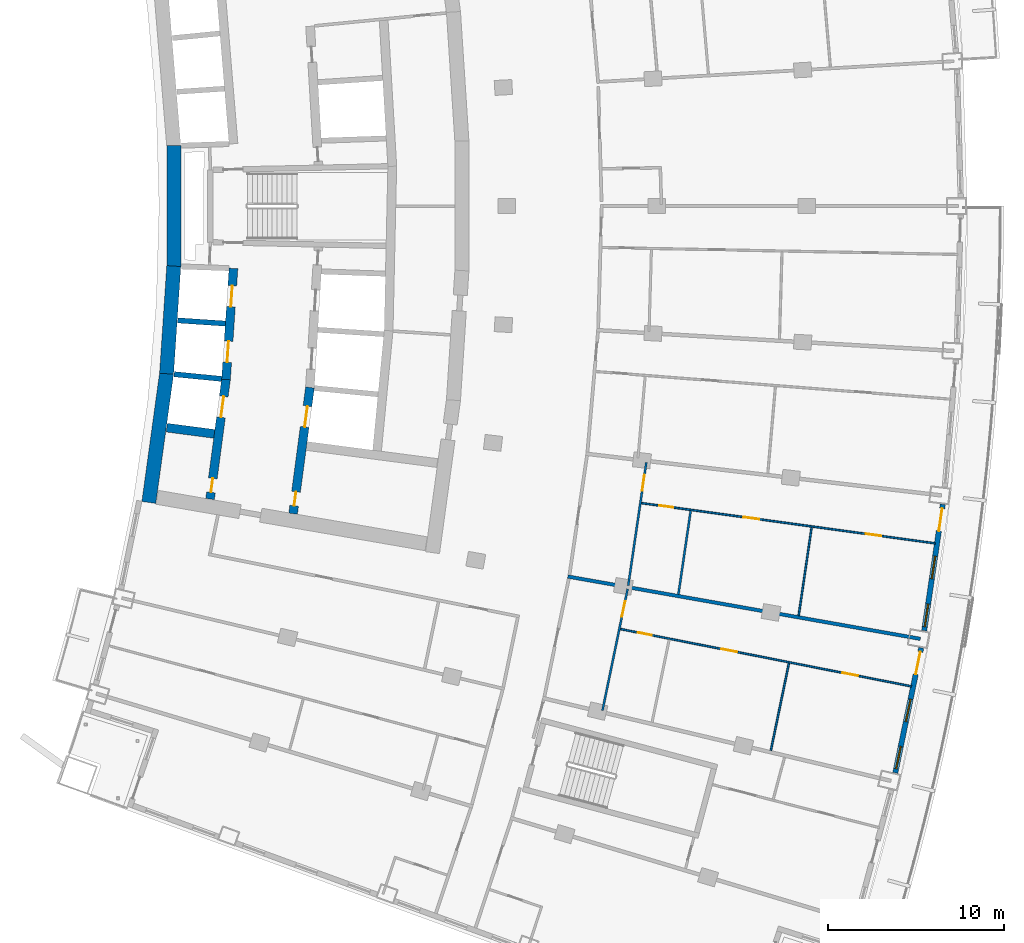
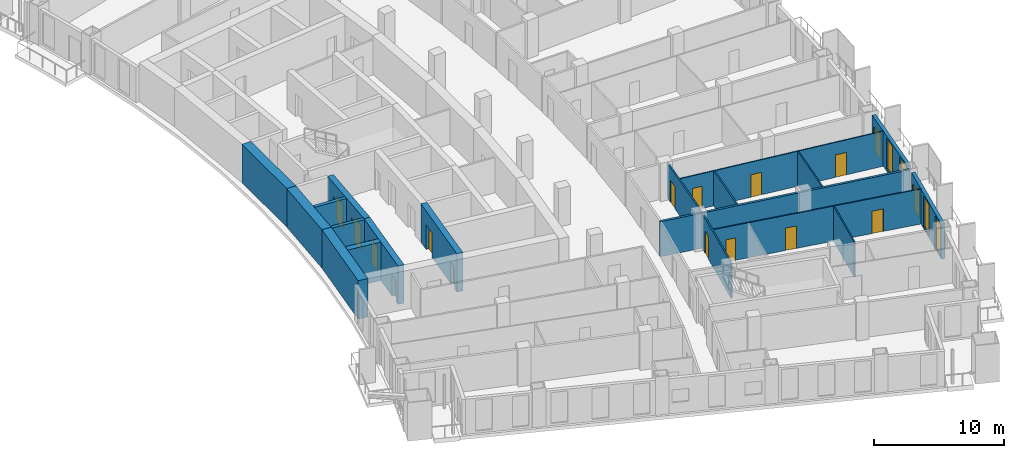
# One storey, part 15 of 24: 19 walls, 16 doors, 4 windows, 20 openings.
"""IFC4 building model written with IfcOpenShell, lengths in metres."""

from ifc_helpers import new_model, si_unit, direction, frame, frame_2d, origin, place, context, subcontext, project, spatial, rectangle, extrude, material, layer, layer_set, type_object, element, fill, save


model = new_model("IFC4")

# Units and contexts
model_context = context("Model", 3, precision=1e-05, world=origin(), true_north=direction((0.0, 1.0)))
body_context = subcontext(model_context, "Body", "Model", "MODEL_VIEW")
ifc_project = project(units=[si_unit("LENGTHUNIT", "METRE"), si_unit("AREAUNIT", "SQUARE_METRE"), si_unit("VOLUMEUNIT", "CUBIC_METRE"), si_unit("PLANEANGLEUNIT", "RADIAN"), si_unit("MASSUNIT", "GRAM", prefix="KILO")], contexts=[model_context])

# Site, building, storey
site_placement = place(None, origin())
site = spatial("IfcSite", under=ifc_project, at=site_placement, CompositionType="ELEMENT")
building_placement = place(site_placement, origin())
building = spatial("IfcBuilding", under=site, at=building_placement, Name="Alderwake Tower", CompositionType="ELEMENT")
storey_placement = place(building_placement, frame((0.0, 0.0, 96.800048828125)))
storey = spatial("IfcBuildingStorey", under=building, at=storey_placement, Name="L23", CompositionType="ELEMENT", Elevation=96.800048828125)

# Walls
ifc_material_1 = material(Name="Concrete C70/85", Category="concrete")
ifc_layer_1 = layer(ifc_material_1, 0.800048828125)
ifc_layer_set_1 = layer_set([ifc_layer_1], Name="Core wall outer 800 C70-85")
wall_type_1 = type_object("IfcWallType", Name="Core wall outer 800 C70-85", PredefinedType="SHEAR", material=ifc_layer_set_1)
wall_1_placement = place(storey_placement, frame((15.419921875, 44.12890625, 0.0), z_axis=(0.0, 0.0, 1.0), x_axis=(0.13634256868, 0.990661750531, 0.0)))
element("IfcWall", 1, at=wall_1_placement, inside=storey, type_object=wall_type_1, Name="Core wall CW.042", PredefinedType="SHEAR", context=body_context, shape_type="SweptSolid", body=[
    extrude(rectangle(XDim=7.42578125, YDim=0.800048828125, at=frame_2d((3.712890625, 0.0))), origin(), (0.0, 0.0, 1.0), 3.599853515625),
])
wall_2_placement = place(storey_placement, frame((16.429443359375, 51.45654296875, 0.0), z_axis=(0.0, 0.0, 1.0), x_axis=(0.066885651624, 0.997760647454, 0.0)))
element("IfcWall", 2, at=wall_2_placement, inside=storey, type_object=wall_type_1, Name="Core wall CW.041", PredefinedType="SHEAR", context=body_context, shape_type="SweptSolid", body=[
    extrude(rectangle(XDim=6.14306640625, YDim=0.800048828125, at=frame_2d((3.071533203125, 0.0))), origin(), (0.0, 0.0, 1.0), 3.599853515625),
])
wall_3_placement = place(storey_placement, frame((16.83935546875, 57.558349609375, 0.0), z_axis=(0.0, 0.0, 1.0), x_axis=(0.0, 1.0, 0.0)))
element("IfcWall", 3, at=wall_3_placement, inside=storey, type_object=wall_type_1, Name="Core wall CW.043", PredefinedType="SHEAR", context=body_context, shape_type="SweptSolid", body=[
    extrude(rectangle(XDim=6.886474609375, YDim=0.800048828125, at=frame_2d((3.443359375, 0.0))), origin(), (0.0, 0.0, 1.0), 3.599853515625),
])
ifc_material_2 = material(Name="Concrete C70/85", Category="concrete")
ifc_layer_2 = layer(ifc_material_2, 0.300048828125)
ifc_layer_set_2 = layer_set([ifc_layer_2], Name="Core wall shaft 300 C70-85")
wall_type_2 = type_object("IfcWallType", Name="Core wall shaft 300 C70-85", PredefinedType="SHEAR", material=ifc_layer_set_2)
wall_4_placement = place(storey_placement, frame((16.8583984375, 51.4287109375, 0.0), z_axis=(0.0, 0.0, 1.0), x_axis=(0.995157330456, -0.098294901394, 0.0)))
element("IfcWall", 4, at=wall_4_placement, inside=storey, type_object=wall_type_2, Name="Core wall CW.065", PredefinedType="SHEAR", context=body_context, shape_type="SweptSolid", body=[
    extrude(rectangle(XDim=2.7197265625, YDim=0.300048828125, at=frame_2d((1.35986328125, 0.0))), origin(), (0.0, 0.0, 1.0), 3.599853515625),
])
wall_5_placement = place(storey_placement, frame((17.06396484375, 54.492919921875, 0.0), z_axis=(0.0, 0.0, 1.0), x_axis=(0.997758851023, -0.066912444326, 0.0)))
element("IfcWall", 5, at=wall_5_placement, inside=storey, type_object=wall_type_2, Name="Core wall CW.079", PredefinedType="SHEAR", context=body_context, shape_type="SweptSolid", body=[
    extrude(rectangle(XDim=2.71826171875, YDim=0.300048828125, at=frame_2d((1.359130859375, 0.0))), origin(), (0.0, 0.0, 1.0), 3.599853515625),
])

# Wall, openings, doors
ifc_material_3 = material(Name="Concrete C70/85", Category="concrete")
ifc_layer_3 = layer(ifc_material_3, 0.5)
ifc_layer_set_3 = layer_set([ifc_layer_3], Name="Core wall spine 500 C70-85")
wall_type_3 = type_object("IfcWallType", Name="Core wall spine 500 C70-85", PredefinedType="SHEAR", material=ifc_layer_set_3)
wall_6_placement = place(storey_placement, frame((19.81494140625, 51.145263671875, 0.0), z_axis=(0.0, 0.0, 1.0), x_axis=(-0.132349652161, -0.991203091991, 0.0)))
wall_6 = element("IfcWall", 6, at=wall_6_placement, inside=storey, type_object=wall_type_3, Name="Core wall CW.033", PredefinedType="SHEAR", context=body_context, shape_type="SweptSolid", body=[
    extrude(rectangle(XDim=6.880615234375, YDim=0.5, at=frame_2d((3.4404296875, 0.0))), origin(), (0.0, 0.0, 1.0), 3.599853515625),
])
opening_1_placement = place(wall_6_placement, frame((0.99072265625, 0.0, 0.0)))
opening_1 = element("IfcOpeningElement", 7, at=opening_1_placement, cuts=wall_6, Name="Opening LD-LP1", PredefinedType="OPENING", context=body_context, shape_type="SweptSolid", body=[
    extrude(rectangle(XDim=1.199951171875, YDim=2.300048828125, at=frame_2d((0.60009765625, 1.14990234375))), frame((0.0, 0.260009765625, 0.0), z_axis=(0.0, -1.0, 0.0), x_axis=(1.0, 0.0, 0.0)), (0.0, 0.0, 1.0), 0.52001953125),
])
opening_2_placement = place(wall_6_placement, frame((5.698486328125, 0.0, 0.0)))
opening_2 = element("IfcOpeningElement", 8, at=opening_2_placement, cuts=wall_6, Name="Opening C007", PredefinedType="OPENING", context=body_context, shape_type="SweptSolid", body=[
    extrude(rectangle(XDim=0.800048828125, YDim=2.0, at=frame_2d((0.39990234375, 1.0))), frame((0.0, 0.260009765625, 0.0), z_axis=(0.0, -1.0, 0.0), x_axis=(1.0, 0.0, 0.0)), (0.0, 0.0, 1.0), 0.52001953125),
])
ifc_material_4 = material(Name="Stainless steel sliding leaf", Category="steel")
door_type_1 = type_object("IfcDoorType", Name="Lift landing door 1200", OperationType="SLIDING_TO_LEFT", PredefinedType="DOOR", material=ifc_material_4)
door_1_placement = place(opening_1_placement, origin())
door_1 = element("IfcDoor", 9, at=door_1_placement, inside=storey, type_object=door_type_1, Name="Lift landing door LP1", OperationType="SLIDING_TO_LEFT", OverallHeight=2.300048828125, OverallWidth=1.199951171875, PredefinedType="DOOR", context=body_context, shape_type="SweptSolid", body=[
    extrude(rectangle(XDim=1.199951171875, YDim=2.300048828125, at=frame_2d((0.60009765625, 1.14990234375))), frame((0.0, 0.02490234375, 0.0), z_axis=(0.0, -1.0, 0.0), x_axis=(1.0, 0.0, 0.0)), (0.0, 0.0, 1.0), 0.050048828125),
])
fill(opening_1, door_1)
ifc_material_5 = material(Name="Painted steel leaf, rated", Category="steel")
door_type_2 = type_object("IfcDoorType", Name="Riser access door 800", OperationType="SINGLE_SWING_LEFT", PredefinedType="DOOR", material=ifc_material_5)
door_2_placement = place(opening_2_placement, origin())
door_2 = element("IfcDoor", 10, at=door_2_placement, inside=storey, type_object=door_type_2, Name="Riser access door", OperationType="SINGLE_SWING_LEFT", OverallHeight=2.0, OverallWidth=0.800048828125, PredefinedType="DOOR", context=body_context, shape_type="SweptSolid", body=[
    extrude(rectangle(XDim=0.800048828125, YDim=2.0, at=frame_2d((0.39990234375, 1.0))), frame((0.0, 0.02490234375, 0.0), z_axis=(0.0, -1.0, 0.0), x_axis=(1.0, 0.0, 0.0)), (0.0, 0.0, 1.0), 0.050048828125),
])
fill(opening_2, door_2)

wall_7_placement = place(storey_placement, frame((19.813232421875, 51.1279296875, 0.0), z_axis=(0.0, 0.0, 1.0), x_axis=(0.066907604831, 0.997759175561, 0.0)))
wall_7 = element("IfcWall", 11, at=wall_7_placement, inside=storey, type_object=wall_type_3, Name="Core wall CW.032", PredefinedType="SHEAR", context=body_context, shape_type="SweptSolid", body=[
    extrude(rectangle(XDim=6.338134765625, YDim=0.5, at=frame_2d((3.1689453125, 0.0))), origin(), (0.0, 0.0, 1.0), 3.599853515625),
])
opening_3_placement = place(wall_7_placement, frame((0.990966796875, 0.0, 0.0)))
opening_3 = element("IfcOpeningElement", 12, at=opening_3_placement, cuts=wall_7, Name="Opening LD-LP2", PredefinedType="OPENING", context=body_context, shape_type="SweptSolid", body=[
    extrude(rectangle(XDim=1.199951171875, YDim=2.300048828125, at=frame_2d((0.60009765625, 1.14990234375))), frame((0.0, 0.260009765625, 0.0), z_axis=(0.0, -1.0, 0.0), x_axis=(1.0, 0.0, 0.0)), (0.0, 0.0, 1.0), 0.52001953125),
])
opening_4_placement = place(wall_7_placement, frame((4.156005859375, 0.0, 0.0)))
opening_4 = element("IfcOpeningElement", 13, at=opening_4_placement, cuts=wall_7, Name="Opening LD-LP3", PredefinedType="OPENING", context=body_context, shape_type="SweptSolid", body=[
    extrude(rectangle(XDim=1.199951171875, YDim=2.300048828125, at=frame_2d((0.60009765625, 1.14990234375))), frame((0.0, 0.260009765625, 0.0), z_axis=(0.0, -1.0, 0.0), x_axis=(1.0, 0.0, 0.0)), (0.0, 0.0, 1.0), 0.52001953125),
])
door_3_placement = place(opening_3_placement, origin())
door_3 = element("IfcDoor", 14, at=door_3_placement, inside=storey, type_object=door_type_1, Name="Lift landing door LP2", OperationType="SLIDING_TO_LEFT", OverallHeight=2.300048828125, OverallWidth=1.199951171875, PredefinedType="DOOR", context=body_context, shape_type="SweptSolid", body=[
    extrude(rectangle(XDim=1.199951171875, YDim=2.300048828125, at=frame_2d((0.60009765625, 1.14990234375))), frame((0.0, 0.02490234375, 0.0), z_axis=(0.0, -1.0, 0.0), x_axis=(1.0, 0.0, 0.0)), (0.0, 0.0, 1.0), 0.050048828125),
])
fill(opening_3, door_3)
door_4_placement = place(opening_4_placement, origin())
door_4 = element("IfcDoor", 15, at=door_4_placement, inside=storey, type_object=door_type_1, Name="Lift landing door LP3", OperationType="SLIDING_TO_LEFT", OverallHeight=2.300048828125, OverallWidth=1.199951171875, PredefinedType="DOOR", context=body_context, shape_type="SweptSolid", body=[
    extrude(rectangle(XDim=1.199951171875, YDim=2.300048828125, at=frame_2d((0.60009765625, 1.14990234375))), frame((0.0, 0.02490234375, 0.0), z_axis=(0.0, -1.0, 0.0), x_axis=(1.0, 0.0, 0.0)), (0.0, 0.0, 1.0), 0.050048828125),
])
fill(opening_4, door_4)

wall_8_placement = place(storey_placement, frame((23.631103515625, 43.489501953125, 0.0), z_axis=(0.0, 0.0, 1.0), x_axis=(0.132532135635, 0.991178708924, 0.0)))
wall_8 = element("IfcWall", 16, at=wall_8_placement, inside=storey, type_object=wall_type_3, Name="Core wall CW.047", PredefinedType="SHEAR", context=body_context, shape_type="SweptSolid", body=[
    extrude(rectangle(XDim=7.248779296875, YDim=0.5, at=frame_2d((3.62451171875, 0.0))), origin(), (0.0, 0.0, 1.0), 3.599853515625),
])
opening_5_placement = place(wall_8_placement, frame((4.981201171875, 0.0, 0.0)))
opening_5 = element("IfcOpeningElement", 17, at=opening_5_placement, cuts=wall_8, Name="Opening LD-LP4", PredefinedType="OPENING", context=body_context, shape_type="SweptSolid", body=[
    extrude(rectangle(XDim=1.199951171875, YDim=2.300048828125, at=frame_2d((0.60009765625, 1.14990234375))), frame((0.0, 0.260009765625, 0.0), z_axis=(0.0, -1.0, 0.0), x_axis=(1.0, 0.0, 0.0)), (0.0, 0.0, 1.0), 0.52001953125),
])
opening_6_placement = place(wall_8_placement, frame((0.4580078125, 0.0, 0.0)))
opening_6 = element("IfcOpeningElement", 18, at=opening_6_placement, cuts=wall_8, Name="Opening C014", PredefinedType="OPENING", context=body_context, shape_type="SweptSolid", body=[
    extrude(rectangle(XDim=0.800048828125, YDim=2.0, at=frame_2d((0.39990234375, 1.0))), frame((0.0, 0.260009765625, 0.0), z_axis=(0.0, -1.0, 0.0), x_axis=(1.0, 0.0, 0.0)), (0.0, 0.0, 1.0), 0.52001953125),
])
door_5_placement = place(opening_5_placement, origin())
door_5 = element("IfcDoor", 19, at=door_5_placement, inside=storey, type_object=door_type_1, Name="Lift landing door LP4", OperationType="SLIDING_TO_LEFT", OverallHeight=2.300048828125, OverallWidth=1.199951171875, PredefinedType="DOOR", context=body_context, shape_type="SweptSolid", body=[
    extrude(rectangle(XDim=1.199951171875, YDim=2.300048828125, at=frame_2d((0.60009765625, 1.14990234375))), frame((0.0, 0.02490234375, 0.0), z_axis=(0.0, -1.0, 0.0), x_axis=(1.0, 0.0, 0.0)), (0.0, 0.0, 1.0), 0.050048828125),
])
fill(opening_5, door_5)
door_6_placement = place(opening_6_placement, origin())
door_6 = element("IfcDoor", 20, at=door_6_placement, inside=storey, type_object=door_type_2, Name="Riser access door", OperationType="SINGLE_SWING_RIGHT", OverallHeight=2.0, OverallWidth=0.800048828125, PredefinedType="DOOR", context=body_context, shape_type="SweptSolid", body=[
    extrude(rectangle(XDim=0.800048828125, YDim=2.0, at=frame_2d((0.39990234375, 1.0))), frame((0.0, 0.02490234375, 0.0), z_axis=(0.0, -1.0, 0.0), x_axis=(1.0, 0.0, 0.0)), (0.0, 0.0, 1.0), 0.050048828125),
])
fill(opening_6, door_6)

# Wall
wall_9_placement = place(storey_placement, frame((16.43994140625, 48.38623046875, 0.0), z_axis=(0.0, 0.0, 1.0), x_axis=(0.991557472006, -0.129667959452, 0.0)))
element("IfcWall", 21, at=wall_9_placement, inside=storey, type_object=wall_type_3, Name="Core wall CW.067", PredefinedType="SHEAR", context=body_context, shape_type="SweptSolid", body=[
    extrude(rectangle(XDim=2.72998046875, YDim=0.5, at=frame_2d((1.364990234375, 0.0))), origin(), (0.0, 0.0, 1.0), 3.599853515625),
])

# Wall, openings, door, windows
ifc_material_6 = material(Name="Precast concrete C50/60 spandrel panel", Category="concrete")
ifc_layer_4 = layer(ifc_material_6, 0.300048828125)
ifc_layer_set_4 = layer_set([ifc_layer_4], Name="External wall EW1 Precast concrete C50/60 spandrel")
wall_type_4 = type_object("IfcWallType", Name="External wall EW1 Precast concrete C50/60 spandrel", PredefinedType="SOLIDWALL", material=ifc_layer_set_4)
wall_10_placement = place(storey_placement, frame((57.91259765625, 28.73583984375, 0.0), z_axis=(0.0, 0.0, 1.0), x_axis=(0.20273007486, 0.979234658673, 0.0)))
wall_10 = element("IfcWall", 22, at=wall_10_placement, inside=storey, type_object=wall_type_4, Name="External wall 13", PredefinedType="SOLIDWALL", context=body_context, shape_type="SweptSolid", body=[
    extrude(rectangle(XDim=7.26416015625, YDim=0.300048828125, at=frame_2d((3.632080078125, 0.0))), origin(), (0.0, 0.0, 1.0), 3.280029296875),
])
opening_7_placement = place(wall_10_placement, frame((0.23291015625, 0.0, 0.199951171875)))
opening_7 = element("IfcOpeningElement", 23, at=opening_7_placement, cuts=wall_10, Name="Opening W1", PredefinedType="OPENING", context=body_context, shape_type="SweptSolid", body=[
    extrude(rectangle(XDim=1.300048828125, YDim=2.89990234375, at=frame_2d((0.64990234375, 1.449951171875))), frame((0.0, 0.159912109375, 0.0), z_axis=(0.0, -1.0, 0.0), x_axis=(1.0, 0.0, 0.0)), (0.0, 0.0, 1.0), 0.320068359375),
])
opening_8_placement = place(wall_10_placement, frame((2.98193359375, 0.0, 0.199951171875)))
opening_8 = element("IfcOpeningElement", 24, at=opening_8_placement, cuts=wall_10, Name="Opening W1", PredefinedType="OPENING", context=body_context, shape_type="SweptSolid", body=[
    extrude(rectangle(XDim=1.300048828125, YDim=2.89990234375, at=frame_2d((0.64990234375, 1.449951171875))), frame((0.0, 0.159912109375, 0.0), z_axis=(0.0, -1.0, 0.0), x_axis=(1.0, 0.0, 0.0)), (0.0, 0.0, 1.0), 0.320068359375),
])
opening_9_placement = place(wall_10_placement, frame((5.731201171875, 0.0, 0.0)))
opening_9 = element("IfcOpeningElement", 25, at=opening_9_placement, cuts=wall_10, Name="Opening D04", PredefinedType="OPENING", context=body_context, shape_type="SweptSolid", body=[
    extrude(rectangle(XDim=1.300048828125, YDim=2.39990234375, at=frame_2d((0.64990234375, 1.199951171875))), frame((0.0, 0.159912109375, 0.0), z_axis=(0.0, -1.0, 0.0), x_axis=(1.0, 0.0, 0.0)), (0.0, 0.0, 1.0), 0.320068359375),
])
ifc_material_7 = material(Name="Bronze tinted glass in aluminium frame", Category="aluminium")
door_type_3 = type_object("IfcDoorType", Name="Balcony door BD sliding", OperationType="SLIDING_TO_LEFT", PredefinedType="DOOR", material=ifc_material_7)
door_7_placement = place(opening_9_placement, origin())
door_7 = element("IfcDoor", 26, at=door_7_placement, inside=storey, type_object=door_type_3, Name="Door D04", OperationType="SLIDING_TO_LEFT", OverallHeight=2.39990234375, OverallWidth=1.300048828125, PredefinedType="DOOR", context=body_context, shape_type="SweptSolid", body=[
    extrude(rectangle(XDim=1.300048828125, YDim=2.39990234375, at=frame_2d((0.64990234375, 1.199951171875))), frame((0.0, 0.02490234375, 0.0), z_axis=(0.0, -1.0, 0.0), x_axis=(1.0, 0.0, 0.0)), (0.0, 0.0, 1.0), 0.050048828125),
])
fill(opening_9, door_7)
ifc_material_8 = material(Name="Bronze tinted glass in aluminium frame", Category="aluminium")
window_type = type_object("IfcWindowType", Name="Window W1 tall fixed and vent", PartitioningType="DOUBLE_PANEL_VERTICAL", PredefinedType="WINDOW", material=ifc_material_8)
window_1_placement = place(opening_7_placement, origin())
window_1 = element("IfcWindow", 27, at=window_1_placement, inside=storey, type_object=window_type, Name="Window W1 tall fixed and vent", OverallHeight=2.89990234375, OverallWidth=1.300048828125, PartitioningType="DOUBLE_PANEL_VERTICAL", PredefinedType="WINDOW", context=body_context, shape_type="SweptSolid", body=[
    extrude(rectangle(XDim=1.300048828125, YDim=2.89990234375, at=frame_2d((0.64990234375, 1.449951171875))), frame((0.0, 0.030029296875, 0.0), z_axis=(0.0, -1.0, 0.0), x_axis=(1.0, 0.0, 0.0)), (0.0, 0.0, 1.0), 0.06005859375),
])
fill(opening_7, window_1)
window_2_placement = place(opening_8_placement, origin())
window_2 = element("IfcWindow", 28, at=window_2_placement, inside=storey, type_object=window_type, Name="Window W1 tall fixed and vent", OverallHeight=2.89990234375, OverallWidth=1.300048828125, PartitioningType="DOUBLE_PANEL_VERTICAL", PredefinedType="WINDOW", context=body_context, shape_type="SweptSolid", body=[
    extrude(rectangle(XDim=1.300048828125, YDim=2.89990234375, at=frame_2d((0.64990234375, 1.449951171875))), frame((0.0, 0.030029296875, 0.0), z_axis=(0.0, -1.0, 0.0), x_axis=(1.0, 0.0, 0.0)), (0.0, 0.0, 1.0), 0.06005859375),
])
fill(opening_8, window_2)

wall_11_placement = place(storey_placement, frame((59.558837890625, 36.8310546875, 0.0), z_axis=(0.0, 0.0, 1.0), x_axis=(0.145325629986, 0.989383879629, 0.0)))
wall_11 = element("IfcWall", 29, at=wall_11_placement, inside=storey, type_object=wall_type_4, Name="External wall 14", PredefinedType="SOLIDWALL", context=body_context, shape_type="SweptSolid", body=[
    extrude(rectangle(XDim=7.26416015625, YDim=0.300048828125, at=frame_2d((3.632080078125, 0.0))), origin(), (0.0, 0.0, 1.0), 3.280029296875),
])
opening_10_placement = place(wall_11_placement, frame((0.23291015625, 0.0, 0.199951171875)))
opening_10 = element("IfcOpeningElement", 30, at=opening_10_placement, cuts=wall_11, Name="Opening W1", PredefinedType="OPENING", context=body_context, shape_type="SweptSolid", body=[
    extrude(rectangle(XDim=1.300048828125, YDim=2.89990234375, at=frame_2d((0.64990234375, 1.449951171875))), frame((0.0, 0.159912109375, 0.0), z_axis=(0.0, -1.0, 0.0), x_axis=(1.0, 0.0, 0.0)), (0.0, 0.0, 1.0), 0.320068359375),
])
opening_11_placement = place(wall_11_placement, frame((2.98193359375, 0.0, 0.199951171875)))
opening_11 = element("IfcOpeningElement", 31, at=opening_11_placement, cuts=wall_11, Name="Opening W1", PredefinedType="OPENING", context=body_context, shape_type="SweptSolid", body=[
    extrude(rectangle(XDim=1.300048828125, YDim=2.89990234375, at=frame_2d((0.64990234375, 1.449951171875))), frame((0.0, 0.159912109375, 0.0), z_axis=(0.0, -1.0, 0.0), x_axis=(1.0, 0.0, 0.0)), (0.0, 0.0, 1.0), 0.320068359375),
])
opening_12_placement = place(wall_11_placement, frame((5.731201171875, 0.0, 0.0)))
opening_12 = element("IfcOpeningElement", 32, at=opening_12_placement, cuts=wall_11, Name="Opening D05", PredefinedType="OPENING", context=body_context, shape_type="SweptSolid", body=[
    extrude(rectangle(XDim=1.300048828125, YDim=2.39990234375, at=frame_2d((0.64990234375, 1.199951171875))), frame((0.0, 0.159912109375, 0.0), z_axis=(0.0, -1.0, 0.0), x_axis=(1.0, 0.0, 0.0)), (0.0, 0.0, 1.0), 0.320068359375),
])
door_8_placement = place(opening_12_placement, origin())
door_8 = element("IfcDoor", 33, at=door_8_placement, inside=storey, type_object=door_type_3, Name="Door D05", OperationType="SLIDING_TO_LEFT", OverallHeight=2.39990234375, OverallWidth=1.300048828125, PredefinedType="DOOR", context=body_context, shape_type="SweptSolid", body=[
    extrude(rectangle(XDim=1.300048828125, YDim=2.39990234375, at=frame_2d((0.64990234375, 1.199951171875))), frame((0.0, 0.02490234375, 0.0), z_axis=(0.0, -1.0, 0.0), x_axis=(1.0, 0.0, 0.0)), (0.0, 0.0, 1.0), 0.050048828125),
])
fill(opening_12, door_8)
window_3_placement = place(opening_10_placement, origin())
window_3 = element("IfcWindow", 34, at=window_3_placement, inside=storey, type_object=window_type, Name="Window W1 tall fixed and vent", OverallHeight=2.89990234375, OverallWidth=1.300048828125, PartitioningType="DOUBLE_PANEL_VERTICAL", PredefinedType="WINDOW", context=body_context, shape_type="SweptSolid", body=[
    extrude(rectangle(XDim=1.300048828125, YDim=2.89990234375, at=frame_2d((0.64990234375, 1.449951171875))), frame((0.0, 0.030029296875, 0.0), z_axis=(0.0, -1.0, 0.0), x_axis=(1.0, 0.0, 0.0)), (0.0, 0.0, 1.0), 0.06005859375),
])
fill(opening_10, window_3)
window_4_placement = place(opening_11_placement, origin())
window_4 = element("IfcWindow", 35, at=window_4_placement, inside=storey, type_object=window_type, Name="Window W1 tall fixed and vent", OverallHeight=2.89990234375, OverallWidth=1.300048828125, PartitioningType="DOUBLE_PANEL_VERTICAL", PredefinedType="WINDOW", context=body_context, shape_type="SweptSolid", body=[
    extrude(rectangle(XDim=1.300048828125, YDim=2.89990234375, at=frame_2d((0.64990234375, 1.449951171875))), frame((0.0, 0.030029296875, 0.0), z_axis=(0.0, -1.0, 0.0), x_axis=(1.0, 0.0, 0.0)), (0.0, 0.0, 1.0), 0.06005859375),
])
fill(opening_11, window_4)

# Wall
ifc_material_9 = material(Name="Dense block masonry wall", Category="masonry")
ifc_layer_5 = layer(ifc_material_9, 0.199951171875)
ifc_layer_set_5 = layer_set([ifc_layer_5], Name="Party wall 200")
wall_type_5 = type_object("IfcWallType", Name="Party wall 200", PredefinedType="SOLIDWALL", material=ifc_layer_set_5)
wall_12_placement = place(storey_placement, frame((59.340087890625, 36.363037109375, 0.0), z_axis=(0.0, 0.0, 1.0), x_axis=(-0.984733595327, 0.174068222933, 0.0)))
element("IfcWall", 36, at=wall_12_placement, inside=storey, type_object=wall_type_5, Name="WL/L23/W10", PredefinedType="SOLIDWALL", context=body_context, shape_type="SweptSolid", body=[
    extrude(rectangle(XDim=20.382080078125, YDim=0.199951171875, at=frame_2d((10.19091796875, 0.0))), origin(), (0.0, 0.0, 1.0), 3.280029296875),
])

# Wall, openings, doors
ifc_material_10 = material(Name="Gypsum board on metal studs")
ifc_layer_6 = layer(ifc_material_10, 0.10009765625)
ifc_layer_set_6 = layer_set([ifc_layer_6], Name="Unit partition 100")
wall_type_6 = type_object("IfcWallType", Name="Unit partition 100", PredefinedType="PARTITIONING", material=ifc_layer_set_6)
wall_13_placement = place(storey_placement, frame((58.830078125, 33.659912109375, 0.0), z_axis=(0.0, 0.0, 1.0), x_axis=(-0.981161441013, 0.193189613255, 0.0)))
wall_13 = element("IfcWall", 37, at=wall_13_placement, inside=storey, type_object=wall_type_6, Name="WL/L23/W76", PredefinedType="PARTITIONING", context=body_context, shape_type="SweptSolid", body=[
    extrude(rectangle(XDim=16.88232421875, YDim=0.10009765625, at=frame_2d((8.441162109375, 0.0))), origin(), (0.0, 0.0, 1.0), 3.280029296875),
])
opening_13_placement = place(wall_13_placement, frame((10.119873046875, 0.0, 0.0)))
opening_13 = element("IfcOpeningElement", 38, at=opening_13_placement, cuts=wall_13, Name="Opening R06-U05.1", PredefinedType="OPENING", context=body_context, shape_type="SweptSolid", body=[
    extrude(rectangle(XDim=0.89990234375, YDim=2.10009765625, at=frame_2d((0.449951171875, 1.050048828125))), frame((0.0, 0.06005859375, 0.0), z_axis=(0.0, -1.0, 0.0), x_axis=(1.0, 0.0, 0.0)), (0.0, 0.0, 1.0), 0.1201171875),
])
opening_14_placement = place(wall_13_placement, frame((15.0634765625, 0.0, 0.0)))
opening_14 = element("IfcOpeningElement", 39, at=opening_14_placement, cuts=wall_13, Name="Opening R06-U05.4", PredefinedType="OPENING", context=body_context, shape_type="SweptSolid", body=[
    extrude(rectangle(XDim=0.800048828125, YDim=2.10009765625, at=frame_2d((0.39990234375, 1.050048828125))), frame((0.0, 0.06005859375, 0.0), z_axis=(0.0, -1.0, 0.0), x_axis=(1.0, 0.0, 0.0)), (0.0, 0.0, 1.0), 0.1201171875),
])
opening_15_placement = place(wall_13_placement, frame((3.097412109375, 0.0, 0.0)))
opening_15 = element("IfcOpeningElement", 40, at=opening_15_placement, cuts=wall_13, Name="Opening R06-U05.5", PredefinedType="OPENING", context=body_context, shape_type="SweptSolid", body=[
    extrude(rectangle(XDim=0.89990234375, YDim=2.10009765625, at=frame_2d((0.449951171875, 1.050048828125))), frame((0.0, 0.06005859375, 0.0), z_axis=(0.0, -1.0, 0.0), x_axis=(1.0, 0.0, 0.0)), (0.0, 0.0, 1.0), 0.1201171875),
])
ifc_material_11 = material(Name="Painted timber leaf", Category="wood")
door_type_4 = type_object("IfcDoorType", Name="Bathroom door 800", OperationType="SINGLE_SWING_LEFT", PredefinedType="DOOR", material=ifc_material_11)
door_9_placement = place(opening_14_placement, origin())
door_9 = element("IfcDoor", 41, at=door_9_placement, inside=storey, type_object=door_type_4, Name="DR/L23/U05.4", OperationType="SINGLE_SWING_LEFT", OverallHeight=2.10009765625, OverallWidth=0.800048828125, PredefinedType="DOOR", context=body_context, shape_type="SweptSolid", body=[
    extrude(rectangle(XDim=0.800048828125, YDim=2.10009765625, at=frame_2d((0.39990234375, 1.050048828125))), frame((0.0, 0.02490234375, 0.0), z_axis=(0.0, -1.0, 0.0), x_axis=(1.0, 0.0, 0.0)), (0.0, 0.0, 1.0), 0.050048828125),
])
fill(opening_14, door_9)
ifc_material_12 = material(Name="Painted timber leaf", Category="wood")
door_type_5 = type_object("IfcDoorType", Name="Room door 900", OperationType="SINGLE_SWING_LEFT", PredefinedType="DOOR", material=ifc_material_12)
door_10_placement = place(opening_13_placement, origin())
door_10 = element("IfcDoor", 42, at=door_10_placement, inside=storey, type_object=door_type_5, Name="DR/L23/U05.1", OperationType="SINGLE_SWING_LEFT", OverallHeight=2.10009765625, OverallWidth=0.89990234375, PredefinedType="DOOR", context=body_context, shape_type="SweptSolid", body=[
    extrude(rectangle(XDim=0.89990234375, YDim=2.10009765625, at=frame_2d((0.449951171875, 1.050048828125))), frame((0.0, 0.02490234375, 0.0), z_axis=(0.0, -1.0, 0.0), x_axis=(1.0, 0.0, 0.0)), (0.0, 0.0, 1.0), 0.050048828125),
])
fill(opening_13, door_10)
door_11_placement = place(opening_15_placement, origin())
door_11 = element("IfcDoor", 43, at=door_11_placement, inside=storey, type_object=door_type_5, Name="DR/L23/U05.5", OperationType="SINGLE_SWING_LEFT", OverallHeight=2.10009765625, OverallWidth=0.89990234375, PredefinedType="DOOR", context=body_context, shape_type="SweptSolid", body=[
    extrude(rectangle(XDim=0.89990234375, YDim=2.10009765625, at=frame_2d((0.449951171875, 1.050048828125))), frame((0.0, 0.02490234375, 0.0), z_axis=(0.0, -1.0, 0.0), x_axis=(1.0, 0.0, 0.0)), (0.0, 0.0, 1.0), 0.050048828125),
])
fill(opening_15, door_11)

wall_14_placement = place(storey_placement, frame((60.18896484375, 41.799072265625, 0.0), z_axis=(0.0, 0.0, 1.0), x_axis=(-0.99073825803, 0.135785507606, 0.0)))
wall_14 = element("IfcWall", 44, at=wall_14_placement, inside=storey, type_object=wall_type_6, Name="WL/L23/W77", PredefinedType="PARTITIONING", context=body_context, shape_type="SweptSolid", body=[
    extrude(rectangle(XDim=16.885009765625, YDim=0.10009765625, at=frame_2d((8.4423828125, 0.0))), origin(), (0.0, 0.0, 1.0), 3.280029296875),
])
opening_16_placement = place(wall_14_placement, frame((10.12109375, 0.0, 0.0)))
opening_16 = element("IfcOpeningElement", 45, at=opening_16_placement, cuts=wall_14, Name="Opening R06-U06.1", PredefinedType="OPENING", context=body_context, shape_type="SweptSolid", body=[
    extrude(rectangle(XDim=0.89990234375, YDim=2.10009765625, at=frame_2d((0.449951171875, 1.050048828125))), frame((0.0, 0.06005859375, 0.0), z_axis=(0.0, -1.0, 0.0), x_axis=(1.0, 0.0, 0.0)), (0.0, 0.0, 1.0), 0.1201171875),
])
opening_17_placement = place(wall_14_placement, frame((15.0654296875, 0.0, 0.0)))
opening_17 = element("IfcOpeningElement", 46, at=opening_17_placement, cuts=wall_14, Name="Opening R06-U06.4", PredefinedType="OPENING", context=body_context, shape_type="SweptSolid", body=[
    extrude(rectangle(XDim=0.800048828125, YDim=2.10009765625, at=frame_2d((0.39990234375, 1.050048828125))), frame((0.0, 0.06005859375, 0.0), z_axis=(0.0, -1.0, 0.0), x_axis=(1.0, 0.0, 0.0)), (0.0, 0.0, 1.0), 0.1201171875),
])
opening_18_placement = place(wall_14_placement, frame((3.098876953125, 0.0, 0.0)))
opening_18 = element("IfcOpeningElement", 47, at=opening_18_placement, cuts=wall_14, Name="Opening R06-U06.5", PredefinedType="OPENING", context=body_context, shape_type="SweptSolid", body=[
    extrude(rectangle(XDim=0.89990234375, YDim=2.10009765625, at=frame_2d((0.449951171875, 1.050048828125))), frame((0.0, 0.06005859375, 0.0), z_axis=(0.0, -1.0, 0.0), x_axis=(1.0, 0.0, 0.0)), (0.0, 0.0, 1.0), 0.1201171875),
])
door_12_placement = place(opening_17_placement, origin())
door_12 = element("IfcDoor", 48, at=door_12_placement, inside=storey, type_object=door_type_4, Name="DR/L23/U06.4", OperationType="SINGLE_SWING_LEFT", OverallHeight=2.10009765625, OverallWidth=0.800048828125, PredefinedType="DOOR", context=body_context, shape_type="SweptSolid", body=[
    extrude(rectangle(XDim=0.800048828125, YDim=2.10009765625, at=frame_2d((0.39990234375, 1.050048828125))), frame((0.0, 0.02490234375, 0.0), z_axis=(0.0, -1.0, 0.0), x_axis=(1.0, 0.0, 0.0)), (0.0, 0.0, 1.0), 0.050048828125),
])
fill(opening_17, door_12)
door_13_placement = place(opening_16_placement, origin())
door_13 = element("IfcDoor", 49, at=door_13_placement, inside=storey, type_object=door_type_5, Name="DR/L23/U06.1", OperationType="SINGLE_SWING_LEFT", OverallHeight=2.10009765625, OverallWidth=0.89990234375, PredefinedType="DOOR", context=body_context, shape_type="SweptSolid", body=[
    extrude(rectangle(XDim=0.89990234375, YDim=2.10009765625, at=frame_2d((0.449951171875, 1.050048828125))), frame((0.0, 0.02490234375, 0.0), z_axis=(0.0, -1.0, 0.0), x_axis=(1.0, 0.0, 0.0)), (0.0, 0.0, 1.0), 0.050048828125),
])
fill(opening_16, door_13)
door_14_placement = place(opening_18_placement, origin())
door_14 = element("IfcDoor", 50, at=door_14_placement, inside=storey, type_object=door_type_5, Name="DR/L23/U06.5", OperationType="SINGLE_SWING_LEFT", OverallHeight=2.10009765625, OverallWidth=0.89990234375, PredefinedType="DOOR", context=body_context, shape_type="SweptSolid", body=[
    extrude(rectangle(XDim=0.89990234375, YDim=2.10009765625, at=frame_2d((0.449951171875, 1.050048828125))), frame((0.0, 0.02490234375, 0.0), z_axis=(0.0, -1.0, 0.0), x_axis=(1.0, 0.0, 0.0)), (0.0, 0.0, 1.0), 0.050048828125),
])
fill(opening_18, door_14)

# Walls
wall_15_placement = place(storey_placement, frame((50.828369140625, 30.010986328125, 0.0), z_axis=(0.0, 0.0, 1.0), x_axis=(0.203176442594, 0.979142141456, 0.0)))
element("IfcWall", 51, at=wall_15_placement, inside=storey, type_object=wall_type_6, Name="WL/L23/W83", PredefinedType="PARTITIONING", context=body_context, shape_type="SweptSolid", body=[
    extrude(rectangle(XDim=5.076904296875, YDim=0.10009765625, at=frame_2d((2.53857421875, 0.0))), origin(), (0.0, 0.0, 1.0), 3.280029296875),
])
wall_16_placement = place(storey_placement, frame((52.41259765625, 37.68896484375, 0.0), z_axis=(0.0, 0.0, 1.0), x_axis=(0.14517004702, 0.989406719933, 0.0)))
element("IfcWall", 52, at=wall_16_placement, inside=storey, type_object=wall_type_6, Name="WL/L23/W87", PredefinedType="PARTITIONING", context=body_context, shape_type="SweptSolid", body=[
    extrude(rectangle(XDim=5.0771484375, YDim=0.10009765625, at=frame_2d((2.53857421875, 0.0))), origin(), (0.0, 0.0, 1.0), 3.280029296875),
])

# Wall, opening, door
ifc_material_13 = material(Name="Moisture resistant gypsum board on metal studs")
ifc_layer_7 = layer(ifc_material_13, 0.1201171875)
ifc_layer_set_7 = layer_set([ifc_layer_7], Name="Wet room partition 120")
wall_type_7 = type_object("IfcWallType", Name="Wet room partition 120", PredefinedType="PARTITIONING", material=ifc_layer_set_7)
wall_17_placement = place(storey_placement, frame((42.67578125, 39.2080078125, 0.0), z_axis=(0.0, 0.0, 1.0), x_axis=(-0.202695854643, -0.979241742631, 0.0)))
wall_17 = element("IfcWall", 53, at=wall_17_placement, inside=storey, type_object=wall_type_7, Name="WL/L23/W57", PredefinedType="PARTITIONING", context=body_context, shape_type="SweptSolid", body=[
    extrude(rectangle(XDim=7.066650390625, YDim=0.1201171875, at=frame_2d((3.533203125, 0.0))), origin(), (0.0, 0.0, 1.0), 3.280029296875),
])
opening_19_placement = place(wall_17_placement, frame((0.7109375, 0.0, 0.0)))
opening_19 = element("IfcOpeningElement", 54, at=opening_19_placement, cuts=wall_17, Name="Opening R06-U05.3", PredefinedType="OPENING", context=body_context, shape_type="SweptSolid", body=[
    extrude(rectangle(XDim=0.89990234375, YDim=2.10009765625, at=frame_2d((0.449951171875, 1.050048828125))), frame((0.0, 0.070068359375, 0.0), z_axis=(0.0, -1.0, 0.0), x_axis=(1.0, 0.0, 0.0)), (0.0, 0.0, 1.0), 0.14013671875),
])
door_15_placement = place(opening_19_placement, origin())
door_15 = element("IfcDoor", 55, at=door_15_placement, inside=storey, type_object=door_type_5, Name="DR/L23/U05.3", OperationType="SINGLE_SWING_LEFT", OverallHeight=2.10009765625, OverallWidth=0.89990234375, PredefinedType="DOOR", context=body_context, shape_type="SweptSolid", body=[
    extrude(rectangle(XDim=0.89990234375, YDim=2.10009765625, at=frame_2d((0.449951171875, 1.050048828125))), frame((0.0, 0.02490234375, 0.0), z_axis=(0.0, -1.0, 0.0), x_axis=(1.0, 0.0, 0.0)), (0.0, 0.0, 1.0), 0.050048828125),
])
fill(opening_19, door_15)

wall_18_placement = place(storey_placement, frame((43.737548828125, 46.39794921875, 0.0), z_axis=(0.0, 0.0, 1.0), x_axis=(-0.145317973425, -0.989385004232, 0.0)))
wall_18 = element("IfcWall", 56, at=wall_18_placement, inside=storey, type_object=wall_type_7, Name="WL/L23/W59", PredefinedType="PARTITIONING", context=body_context, shape_type="SweptSolid", body=[
    extrude(rectangle(XDim=7.06787109375, YDim=0.1201171875, at=frame_2d((3.533935546875, 0.0))), origin(), (0.0, 0.0, 1.0), 3.280029296875),
])
opening_20_placement = place(wall_18_placement, frame((0.71142578125, 0.0, 0.0)))
opening_20 = element("IfcOpeningElement", 57, at=opening_20_placement, cuts=wall_18, Name="Opening R06-U06.3", PredefinedType="OPENING", context=body_context, shape_type="SweptSolid", body=[
    extrude(rectangle(XDim=0.89990234375, YDim=2.10009765625, at=frame_2d((0.449951171875, 1.050048828125))), frame((0.0, 0.070068359375, 0.0), z_axis=(0.0, -1.0, 0.0), x_axis=(1.0, 0.0, 0.0)), (0.0, 0.0, 1.0), 0.14013671875),
])
door_16_placement = place(opening_20_placement, origin())
door_16 = element("IfcDoor", 58, at=door_16_placement, inside=storey, type_object=door_type_5, Name="DR/L23/U06.3", OperationType="SINGLE_SWING_LEFT", OverallHeight=2.10009765625, OverallWidth=0.89990234375, PredefinedType="DOOR", context=body_context, shape_type="SweptSolid", body=[
    extrude(rectangle(XDim=0.89990234375, YDim=2.10009765625, at=frame_2d((0.449951171875, 1.050048828125))), frame((0.0, 0.02490234375, 0.0), z_axis=(0.0, -1.0, 0.0), x_axis=(1.0, 0.0, 0.0)), (0.0, 0.0, 1.0), 0.050048828125),
])
fill(opening_20, door_16)

# Wall
wall_19_placement = place(storey_placement, frame((45.56640625, 38.90087890625, 0.0), z_axis=(0.0, 0.0, 1.0), x_axis=(0.145238137818, 0.989396726962, 0.0)))
element("IfcWall", 59, at=wall_19_placement, inside=storey, type_object=wall_type_7, Name="WL/L23/W65", PredefinedType="PARTITIONING", context=body_context, shape_type="SweptSolid", body=[
    extrude(rectangle(XDim=4.8076171875, YDim=0.1201171875, at=frame_2d((2.40380859375, 0.0))), origin(), (0.0, 0.0, 1.0), 3.280029296875),
])

save(model, "model.ifc")
